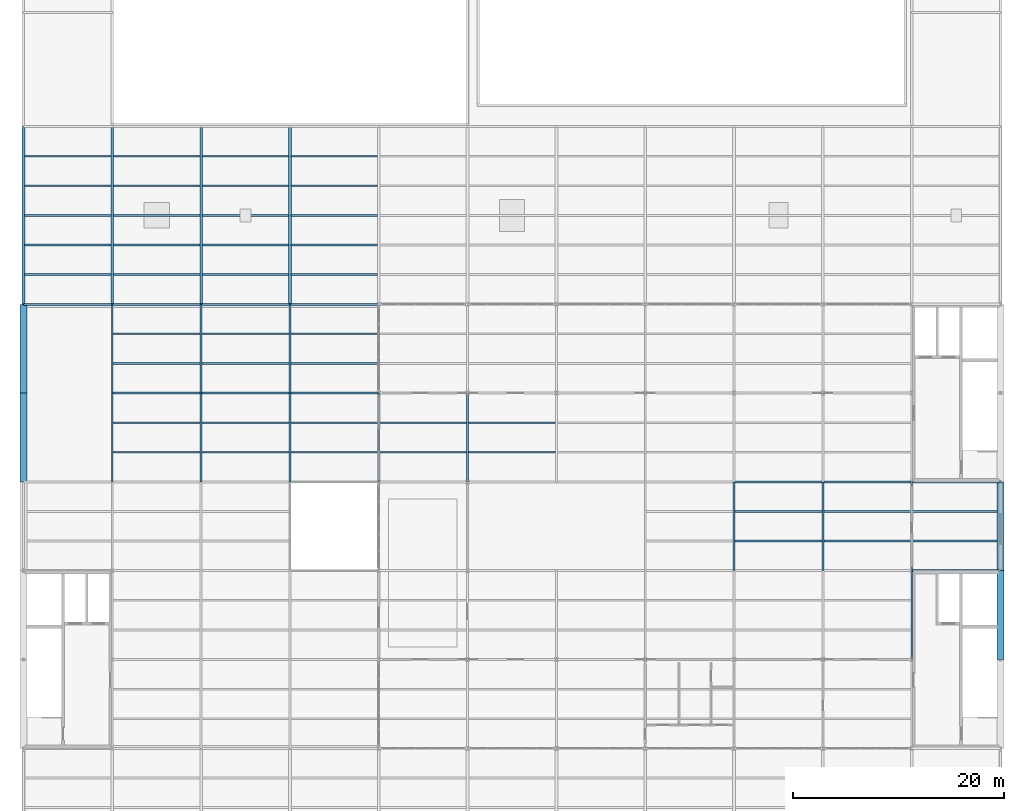
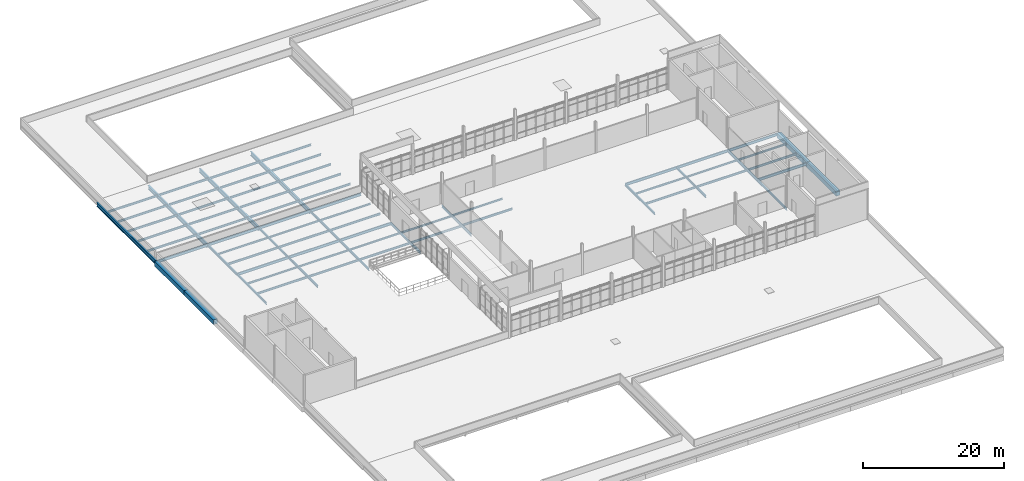
# One storey, part 15 of 33: 73 beams.
"""IFC4 building model written with IfcOpenShell, lengths in metres."""

from ifc_helpers import new_model, si_unit, direction, frame, origin, origin_2d, place, context, subcontext, project, spatial, rectangle, i_section, extrude, material, material_profile, profile_set, type_object, element, save


model = new_model("IFC4")

# Units and contexts
model_context = context("Model", 3, precision=1e-05, world=origin(), true_north=direction((0.0, 1.0)))
body_context = subcontext(model_context, "Body", "Model", "MODEL_VIEW")
ifc_project = project(units=[si_unit("LENGTHUNIT", "METRE"), si_unit("AREAUNIT", "SQUARE_METRE"), si_unit("VOLUMEUNIT", "CUBIC_METRE"), si_unit("PLANEANGLEUNIT", "RADIAN"), si_unit("MASSUNIT", "GRAM", prefix="KILO"), si_unit("THERMODYNAMICTEMPERATUREUNIT", "KELVIN"), si_unit("POWERUNIT", "WATT")], contexts=[model_context])

# Site, building, storey
site_placement = place(None, origin())
site = spatial("IfcSite", under=ifc_project, at=site_placement, CompositionType="ELEMENT")
building_placement = place(site_placement, origin())
building = spatial("IfcBuilding", under=site, at=building_placement, Name="Tembeka Court Mobility Hub", CompositionType="ELEMENT")
storey_placement = place(building_placement, frame((0.0, 0.0, 23.39990234375)))
storey = spatial("IfcBuildingStorey", under=building, at=storey_placement, Name="L06", CompositionType="ELEMENT", Elevation=23.39990234375)

# Beams
ifc_material_1 = material(Name="Steel S355", Category="steel")
ifc_material_profile_1 = material_profile(ifc_material_1, i_section(OverallWidth=0.18994140625, OverallDepth=0.45703125, WebThickness=0.009033203125, FlangeThickness=0.014404296875, FilletRadius=0.01025390625, at=origin_2d()), Name="UKB 457x191x74")
ifc_profile_set_1 = profile_set([ifc_material_profile_1], Name="Steel S355")
beam_type_1 = type_object("IfcBeamType", Name="BM-B01", PredefinedType="BEAM", material=ifc_profile_set_1)
beam_1_placement = place(storey_placement, frame((84.0, 55.199951171875, -0.478515625), z_axis=(1.0, 0.0, 0.0), x_axis=(0.0, 1.0, 0.0)))
element("IfcBeam", 1, at=beam_1_placement, inside=storey, type_object=beam_type_1, Name="Beam B01 (BM-L06-X3141)", PredefinedType="BEAM", context=body_context, shape_type="SweptSolid", body=[
    extrude(i_section(OverallWidth=0.18994140625, OverallDepth=0.45703125, WebThickness=0.009033203125, FlangeThickness=0.014404296875, FilletRadius=0.01025390625, at=origin_2d()), origin(), (0.0, 0.0, 1.0), 8.39990234375),
])
beam_2_placement = place(storey_placement, frame((67.199951171875, 63.60009765625, -0.478515625), z_axis=(1.0, 0.0, 0.0), x_axis=(0.0, 1.0, 0.0)))
element("IfcBeam", 2, at=beam_2_placement, inside=storey, type_object=beam_type_1, Name="Beam B01 (BM-L06-X3150)", PredefinedType="BEAM", context=body_context, shape_type="SweptSolid", body=[
    extrude(i_section(OverallWidth=0.18994140625, OverallDepth=0.45703125, WebThickness=0.009033203125, FlangeThickness=0.014404296875, FilletRadius=0.01025390625, at=origin_2d()), origin(), (0.0, 0.0, 1.0), 8.400146484375),
])
for number, where, z_axis, x_axis, name in (
    (3, (75.60009765625, 63.60009765625, -0.478515625), (1.0, 0.0, 0.0), (0.0, 1.0, 0.0), "Beam B01 (BM-L06-X3151)"),
    (4, (84.0, 63.60009765625, -0.478515625), (1.0, 0.0, 0.0), (0.0, 1.0, 0.0), "Beam B01 (BM-L06-X3152)"),
):
    element("IfcBeam", number, at=place(storey_placement, frame(where, z_axis=z_axis, x_axis=x_axis)), inside=storey, type_object=beam_type_1, Name=name, PredefinedType="BEAM", context=body_context, shape_type="SweptSolid", body=[
        extrude(i_section(OverallWidth=0.18994140625, OverallDepth=0.45703125, WebThickness=0.009033203125, FlangeThickness=0.014404296875, FilletRadius=0.01025390625, at=origin_2d()), origin(), (0.0, 0.0, 1.0), 8.39990234375),
    ])
beam_3_placement = place(storey_placement, frame((8.39990234375, 72.0, -0.54833984375), z_axis=(1.0, 0.0, 0.0), x_axis=(0.0, 1.0, 0.0)))
element("IfcBeam", 5, at=beam_3_placement, inside=storey, type_object=beam_type_1, Name="Beam B01 (BM-L06-X3153)", PredefinedType="BEAM", context=body_context, shape_type="SweptSolid", body=[
    extrude(i_section(OverallWidth=0.18994140625, OverallDepth=0.45703125, WebThickness=0.009033203125, FlangeThickness=0.014404296875, FilletRadius=0.01025390625, at=origin_2d()), origin(), (0.0, 0.0, 1.0), 8.400146484375),
])
beam_4_placement = place(storey_placement, frame((16.800048828125, 72.0, -0.54833984375), z_axis=(1.0, 0.0, 0.0), x_axis=(0.0, 1.0, 0.0)))
element("IfcBeam", 6, at=beam_4_placement, inside=storey, type_object=beam_type_1, Name="Beam B01 (BM-L06-X3154)", PredefinedType="BEAM", context=body_context, shape_type="SweptSolid", body=[
    extrude(i_section(OverallWidth=0.18994140625, OverallDepth=0.45703125, WebThickness=0.009033203125, FlangeThickness=0.014404296875, FilletRadius=0.01025390625, at=origin_2d()), origin(), (0.0, 0.0, 1.0), 8.39990234375),
])
beam_5_placement = place(storey_placement, frame((25.199951171875, 72.0, -0.54833984375), z_axis=(1.0, 0.0, 0.0), x_axis=(0.0, 1.0, 0.0)))
element("IfcBeam", 7, at=beam_5_placement, inside=storey, type_object=beam_type_1, Name="Beam B01 (BM-L06-X3155)", PredefinedType="BEAM", context=body_context, shape_type="SweptSolid", body=[
    extrude(i_section(OverallWidth=0.18994140625, OverallDepth=0.45703125, WebThickness=0.009033203125, FlangeThickness=0.014404296875, FilletRadius=0.01025390625, at=origin_2d()), origin(), (0.0, 0.0, 1.0), 8.400146484375),
])
beam_6_placement = place(storey_placement, frame((0.0, 80.39990234375, -0.54833984375), z_axis=(1.0, 0.0, 0.0), x_axis=(0.0, 1.0, 0.0)))
element("IfcBeam", 8, at=beam_6_placement, inside=storey, type_object=beam_type_1, Name="Beam B01 (BM-L06-X3162)", PredefinedType="BEAM", context=body_context, shape_type="SweptSolid", body=[
    extrude(i_section(OverallWidth=0.18994140625, OverallDepth=0.45703125, WebThickness=0.009033203125, FlangeThickness=0.014404296875, FilletRadius=0.01025390625, at=origin_2d()), origin(), (0.0, 0.0, 1.0), 8.39990234375),
])
beam_7_placement = place(storey_placement, frame((8.39990234375, 80.39990234375, -0.54833984375), z_axis=(1.0, 0.0, 0.0), x_axis=(0.0, 1.0, 0.0)))
element("IfcBeam", 9, at=beam_7_placement, inside=storey, type_object=beam_type_1, Name="Beam B01 (BM-L06-X3163)", PredefinedType="BEAM", context=body_context, shape_type="SweptSolid", body=[
    extrude(i_section(OverallWidth=0.18994140625, OverallDepth=0.45703125, WebThickness=0.009033203125, FlangeThickness=0.014404296875, FilletRadius=0.01025390625, at=origin_2d()), origin(), (0.0, 0.0, 1.0), 8.400146484375),
])
beam_8_placement = place(storey_placement, frame((16.800048828125, 80.39990234375, -0.54833984375), z_axis=(1.0, 0.0, 0.0), x_axis=(0.0, 1.0, 0.0)))
element("IfcBeam", 10, at=beam_8_placement, inside=storey, type_object=beam_type_1, Name="Beam B01 (BM-L06-X3164)", PredefinedType="BEAM", context=body_context, shape_type="SweptSolid", body=[
    extrude(i_section(OverallWidth=0.18994140625, OverallDepth=0.45703125, WebThickness=0.009033203125, FlangeThickness=0.014404296875, FilletRadius=0.01025390625, at=origin_2d()), origin(), (0.0, 0.0, 1.0), 8.39990234375),
])
beam_9_placement = place(storey_placement, frame((25.199951171875, 80.39990234375, -0.54833984375), z_axis=(1.0, 0.0, 0.0), x_axis=(0.0, 1.0, 0.0)))
element("IfcBeam", 11, at=beam_9_placement, inside=storey, type_object=beam_type_1, Name="Beam B01 (BM-L06-X3165)", PredefinedType="BEAM", context=body_context, shape_type="SweptSolid", body=[
    extrude(i_section(OverallWidth=0.18994140625, OverallDepth=0.45703125, WebThickness=0.009033203125, FlangeThickness=0.014404296875, FilletRadius=0.01025390625, at=origin_2d()), origin(), (0.0, 0.0, 1.0), 8.400146484375),
])
ifc_material_profile_2 = material_profile(ifc_material_1, i_section(OverallWidth=0.177978515625, OverallDepth=0.406005859375, WebThickness=0.0078125, FlangeThickness=0.0126953125, FilletRadius=0.01025390625, at=origin_2d()), Name="UKB 406x178x60")
ifc_profile_set_2 = profile_set([ifc_material_profile_2], Name="Steel S355")
beam_type_2 = type_object("IfcBeamType", Name="BM-B02", PredefinedType="BEAM", material=ifc_profile_set_2)
for number, where, z_axis, x_axis, name in (
    (12, (8.39990234375, 63.60009765625, -0.52294921875), (0.0, 1.0, 0.0), (-1.0, 0.0, 0.0), "Beam B02 (BM-L06-Y3213)"),
    (13, (8.39990234375, 72.0, -0.52294921875), (0.0, 1.0, 0.0), (-1.0, 0.0, 0.0), "Beam B02 (BM-L06-Y3214)"),
    (14, (16.800048828125, 63.60009765625, -0.52294921875), (0.0, 1.0, 0.0), (-1.0, 0.0, 0.0), "Beam B02 (BM-L06-Y3222)"),
    (15, (16.800048828125, 72.0, -0.52294921875), (0.0, 1.0, 0.0), (-1.0, 0.0, 0.0), "Beam B02 (BM-L06-Y3223)"),
    (16, (25.199951171875, 63.60009765625, -0.52294921875), (0.0, 1.0, 0.0), (-1.0, 0.0, 0.0), "Beam B02 (BM-L06-Y3229)"),
    (17, (25.199951171875, 72.0, -0.52294921875), (0.0, 1.0, 0.0), (-1.0, 0.0, 0.0), "Beam B02 (BM-L06-Y3230)"),
    (18, (33.60009765625, 63.60009765625, -0.52294921875), (0.0, 1.0, 0.0), (-1.0, 0.0, 0.0), "Beam B02 (BM-L06-Y3235)"),
    (19, (42.0, 63.60009765625, -0.452880859375), (0.0, 1.0, 0.0), (-1.0, 0.0, 0.0), "Beam B02 (BM-L06-Y3243)"),
):
    element("IfcBeam", number, at=place(storey_placement, frame(where, z_axis=z_axis, x_axis=x_axis)), inside=storey, type_object=beam_type_2, Name=name, PredefinedType="BEAM", context=body_context, shape_type="SweptSolid", body=[
        extrude(i_section(OverallWidth=0.177978515625, OverallDepth=0.406005859375, WebThickness=0.0078125, FlangeThickness=0.0126953125, FilletRadius=0.01025390625, at=origin_2d()), origin(), (0.0, 0.0, 1.0), 8.39990234375),
    ])
for number, where, z_axis, x_axis, name in (
    (20, (67.199951171875, 55.199951171875, -0.452880859375), (0.0, 1.0, 0.0), (-1.0, 0.0, 0.0), "Beam B02 (BM-L06-Y3264)"),
    (21, (75.60009765625, 55.199951171875, -0.452880859375), (0.0, 1.0, 0.0), (-1.0, 0.0, 0.0), "Beam B02 (BM-L06-Y3271)"),
):
    element("IfcBeam", number, at=place(storey_placement, frame(where, z_axis=z_axis, x_axis=x_axis)), inside=storey, type_object=beam_type_2, Name=name, PredefinedType="BEAM", context=body_context, shape_type="SweptSolid", body=[
        extrude(i_section(OverallWidth=0.177978515625, OverallDepth=0.406005859375, WebThickness=0.0078125, FlangeThickness=0.0126953125, FilletRadius=0.01025390625, at=origin_2d()), origin(), (0.0, 0.0, 1.0), 8.400146484375),
    ])
beam_10_placement = place(storey_placement, frame((84.0, 46.800048828125, -0.452880859375), z_axis=(0.0, 1.0, 0.0), x_axis=(-1.0, 0.0, 0.0)))
element("IfcBeam", 22, at=beam_10_placement, inside=storey, type_object=beam_type_2, Name="Beam B02 (BM-L06-Y3279)", PredefinedType="BEAM", context=body_context, shape_type="SweptSolid", body=[
    extrude(i_section(OverallWidth=0.177978515625, OverallDepth=0.406005859375, WebThickness=0.0078125, FlangeThickness=0.0126953125, FilletRadius=0.01025390625, at=origin_2d()), origin(), (0.0, 0.0, 1.0), 8.39990234375),
])
beam_11_placement = place(storey_placement, frame((84.0, 55.199951171875, -0.452880859375), z_axis=(0.0, 1.0, 0.0), x_axis=(-1.0, 0.0, 0.0)))
element("IfcBeam", 23, at=beam_11_placement, inside=storey, type_object=beam_type_2, Name="Beam B02 (BM-L06-Y3280)", PredefinedType="BEAM", context=body_context, shape_type="SweptSolid", body=[
    extrude(i_section(OverallWidth=0.177978515625, OverallDepth=0.406005859375, WebThickness=0.0078125, FlangeThickness=0.0126953125, FilletRadius=0.01025390625, at=origin_2d()), origin(), (0.0, 0.0, 1.0), 8.400146484375),
])
ifc_material_profile_3 = material_profile(ifc_material_1, i_section(OverallWidth=0.25390625, OverallDepth=0.68408203125, WebThickness=0.012451171875, FlangeThickness=0.01904296875, FilletRadius=0.01513671875, at=origin_2d()), Name="UKB 686x254x140")
ifc_profile_set_3 = profile_set([ifc_material_profile_3], Name="Steel S355")
beam_type_3 = type_object("IfcBeamType", Name="BM-G01", PredefinedType="USERDEFINED", material=ifc_profile_set_3)
for number, where, z_axis, x_axis, name in (
    (24, (0.0, 80.39990234375, -0.661865234375), (0.0, 1.0, 0.0), (-1.0, 0.0, 0.0), "Beam G01 (BM-L06-Y3204)"),
    (25, (8.39990234375, 80.39990234375, -0.661865234375), (0.0, 1.0, 0.0), (-1.0, 0.0, 0.0), "Beam G01 (BM-L06-Y3215)"),
    (26, (16.800048828125, 80.39990234375, -0.661865234375), (0.0, 1.0, 0.0), (-1.0, 0.0, 0.0), "Beam G01 (BM-L06-Y3224)"),
    (27, (25.199951171875, 80.39990234375, -0.661865234375), (0.0, 1.0, 0.0), (-1.0, 0.0, 0.0), "Beam G01 (BM-L06-Y3231)"),
):
    element("IfcBeam", number, at=place(storey_placement, frame(where, z_axis=z_axis, x_axis=x_axis)), inside=storey, type_object=beam_type_3, Name=name, ObjectType="GIRDER", PredefinedType="USERDEFINED", context=body_context, shape_type="SweptSolid", body=[
        extrude(i_section(OverallWidth=0.25390625, OverallDepth=0.68408203125, WebThickness=0.012451171875, FlangeThickness=0.01904296875, FilletRadius=0.01513671875, at=origin_2d()), origin(), (0.0, 0.0, 1.0), 16.800048828125),
    ])
ifc_material_profile_4 = material_profile(ifc_material_1, i_section(OverallWidth=0.172119140625, OverallDepth=0.35498046875, WebThickness=0.00732421875, FlangeThickness=0.011474609375, FilletRadius=0.01025390625, at=origin_2d()), Name="UKB 356x171x51")
ifc_profile_set_4 = profile_set([ifc_material_profile_4], Name="Steel S355")
beam_type_4 = type_object("IfcBeamType", Name="BM-J01", PredefinedType="JOIST", material=ifc_profile_set_4)
for number, where, z_axis, x_axis, name in (
    (28, (0.1220703125, 83.199951171875, -0.407470703125), (1.0, 0.0, 0.0), (0.0, 1.0, 0.0), "Beam J01 (JST-L06-3304)"),
    (29, (0.1220703125, 86.0, -0.407470703125), (1.0, 0.0, 0.0), (0.0, 1.0, 0.0), "Beam J01 (JST-L06-3305)"),
    (30, (0.1220703125, 88.800048828125, -0.407470703125), (1.0, 0.0, 0.0), (0.0, 1.0, 0.0), "Beam J01 (JST-L06-3306)"),
    (31, (0.1220703125, 91.60009765625, -0.407470703125), (1.0, 0.0, 0.0), (0.0, 1.0, 0.0), "Beam J01 (JST-L06-3307)"),
    (32, (0.1220703125, 94.39990234375, -0.407470703125), (1.0, 0.0, 0.0), (0.0, 1.0, 0.0), "Beam J01 (JST-L06-3308)"),
    (33, (8.52197265625, 83.199951171875, -0.407470703125), (1.0, 0.0, 0.0), (0.0, 1.0, 0.0), "Beam J01 (JST-L06-3324)"),
    (34, (8.52197265625, 86.0, -0.407470703125), (1.0, 0.0, 0.0), (0.0, 1.0, 0.0), "Beam J01 (JST-L06-3325)"),
    (35, (8.52197265625, 88.800048828125, -0.407470703125), (1.0, 0.0, 0.0), (0.0, 1.0, 0.0), "Beam J01 (JST-L06-3326)"),
    (36, (8.52197265625, 91.60009765625, -0.407470703125), (1.0, 0.0, 0.0), (0.0, 1.0, 0.0), "Beam J01 (JST-L06-3327)"),
    (37, (8.52197265625, 94.39990234375, -0.407470703125), (1.0, 0.0, 0.0), (0.0, 1.0, 0.0), "Beam J01 (JST-L06-3328)"),
):
    element("IfcBeam", number, at=place(storey_placement, frame(where, z_axis=z_axis, x_axis=x_axis)), inside=storey, type_object=beam_type_4, Name=name, PredefinedType="JOIST", context=body_context, shape_type="SweptSolid", body=[
        extrude(i_section(OverallWidth=0.172119140625, OverallDepth=0.35498046875, WebThickness=0.00732421875, FlangeThickness=0.011474609375, FilletRadius=0.01025390625, at=origin_2d()), origin(), (0.0, 0.0, 1.0), 8.156005859375),
    ])
for number, where, z_axis, x_axis, name in (
    (38, (16.922119140625, 83.199951171875, -0.407470703125), (1.0, 0.0, 0.0), (0.0, 1.0, 0.0), "Beam J01 (JST-L06-3344)"),
    (39, (16.922119140625, 86.0, -0.407470703125), (1.0, 0.0, 0.0), (0.0, 1.0, 0.0), "Beam J01 (JST-L06-3345)"),
    (40, (16.922119140625, 88.800048828125, -0.407470703125), (1.0, 0.0, 0.0), (0.0, 1.0, 0.0), "Beam J01 (JST-L06-3346)"),
    (41, (16.922119140625, 91.60009765625, -0.407470703125), (1.0, 0.0, 0.0), (0.0, 1.0, 0.0), "Beam J01 (JST-L06-3347)"),
    (42, (16.922119140625, 94.39990234375, -0.407470703125), (1.0, 0.0, 0.0), (0.0, 1.0, 0.0), "Beam J01 (JST-L06-3348)"),
):
    element("IfcBeam", number, at=place(storey_placement, frame(where, z_axis=z_axis, x_axis=x_axis)), inside=storey, type_object=beam_type_4, Name=name, PredefinedType="JOIST", context=body_context, shape_type="SweptSolid", body=[
        extrude(i_section(OverallWidth=0.172119140625, OverallDepth=0.35498046875, WebThickness=0.00732421875, FlangeThickness=0.011474609375, FilletRadius=0.01025390625, at=origin_2d()), origin(), (0.0, 0.0, 1.0), 8.15576171875),
    ])
for number, where, z_axis, x_axis, name in (
    (43, (25.322021484375, 83.199951171875, -0.407470703125), (1.0, 0.0, 0.0), (0.0, 1.0, 0.0), "Beam J01 (JST-L06-3362)"),
    (44, (25.322021484375, 86.0, -0.407470703125), (1.0, 0.0, 0.0), (0.0, 1.0, 0.0), "Beam J01 (JST-L06-3363)"),
    (45, (25.322021484375, 88.800048828125, -0.407470703125), (1.0, 0.0, 0.0), (0.0, 1.0, 0.0), "Beam J01 (JST-L06-3364)"),
    (46, (25.322021484375, 91.60009765625, -0.407470703125), (1.0, 0.0, 0.0), (0.0, 1.0, 0.0), "Beam J01 (JST-L06-3365)"),
    (47, (25.322021484375, 94.39990234375, -0.407470703125), (1.0, 0.0, 0.0), (0.0, 1.0, 0.0), "Beam J01 (JST-L06-3366)"),
):
    element("IfcBeam", number, at=place(storey_placement, frame(where, z_axis=z_axis, x_axis=x_axis)), inside=storey, type_object=beam_type_4, Name=name, PredefinedType="JOIST", context=body_context, shape_type="SweptSolid", body=[
        extrude(i_section(OverallWidth=0.172119140625, OverallDepth=0.35498046875, WebThickness=0.00732421875, FlangeThickness=0.011474609375, FilletRadius=0.01025390625, at=origin_2d()), origin(), (0.0, 0.0, 1.0), 8.156005859375),
    ])
ifc_material_profile_5 = material_profile(ifc_material_1, i_section(OverallWidth=0.1650390625, OverallDepth=0.303955078125, WebThickness=0.006103515625, FlangeThickness=0.01025390625, FilletRadius=0.0087890625, at=origin_2d()), Name="UKB 305x165x40")
ifc_profile_set_5 = profile_set([ifc_material_profile_5], Name="Steel S355")
beam_type_5 = type_object("IfcBeamType", Name="BM-J02", PredefinedType="JOIST", material=ifc_profile_set_5)
for number, where, z_axis, x_axis, name in (
    (48, (8.48388671875, 69.199951171875, -0.471923828125), (1.0, 0.0, 0.0), (0.0, 1.0, 0.0), "Beam J02 (JST-L06-3321)"),
    (49, (8.48388671875, 77.60009765625, -0.471923828125), (1.0, 0.0, 0.0), (0.0, 1.0, 0.0), "Beam J02 (JST-L06-3323)"),
):
    element("IfcBeam", number, at=place(storey_placement, frame(where, z_axis=z_axis, x_axis=x_axis)), inside=storey, type_object=beam_type_5, Name=name, PredefinedType="JOIST", context=body_context, shape_type="SweptSolid", body=[
        extrude(i_section(OverallWidth=0.1650390625, OverallDepth=0.303955078125, WebThickness=0.006103515625, FlangeThickness=0.01025390625, FilletRadius=0.0087890625, at=origin_2d()), origin(), (0.0, 0.0, 1.0), 8.232177734375),
    ])
for number, where, z_axis, x_axis, name in (
    (50, (16.884033203125, 69.199951171875, -0.471923828125), (1.0, 0.0, 0.0), (0.0, 1.0, 0.0), "Beam J02 (JST-L06-3341)"),
    (51, (16.884033203125, 77.60009765625, -0.471923828125), (1.0, 0.0, 0.0), (0.0, 1.0, 0.0), "Beam J02 (JST-L06-3343)"),
):
    element("IfcBeam", number, at=place(storey_placement, frame(where, z_axis=z_axis, x_axis=x_axis)), inside=storey, type_object=beam_type_5, Name=name, PredefinedType="JOIST", context=body_context, shape_type="SweptSolid", body=[
        extrude(i_section(OverallWidth=0.1650390625, OverallDepth=0.303955078125, WebThickness=0.006103515625, FlangeThickness=0.01025390625, FilletRadius=0.0087890625, at=origin_2d()), origin(), (0.0, 0.0, 1.0), 8.23193359375),
    ])
for number, where, z_axis, x_axis, name in (
    (52, (25.283935546875, 69.199951171875, -0.471923828125), (1.0, 0.0, 0.0), (0.0, 1.0, 0.0), "Beam J02 (JST-L06-3359)"),
    (53, (25.283935546875, 77.60009765625, -0.471923828125), (1.0, 0.0, 0.0), (0.0, 1.0, 0.0), "Beam J02 (JST-L06-3361)"),
):
    element("IfcBeam", number, at=place(storey_placement, frame(where, z_axis=z_axis, x_axis=x_axis)), inside=storey, type_object=beam_type_5, Name=name, PredefinedType="JOIST", context=body_context, shape_type="SweptSolid", body=[
        extrude(i_section(OverallWidth=0.1650390625, OverallDepth=0.303955078125, WebThickness=0.006103515625, FlangeThickness=0.01025390625, FilletRadius=0.0087890625, at=origin_2d()), origin(), (0.0, 0.0, 1.0), 8.232177734375),
    ])
for number, where, z_axis, x_axis, name in (
    (54, (33.68408203125, 69.199951171875, -0.471923828125), (1.0, 0.0, 0.0), (0.0, 1.0, 0.0), "Beam J02 (JST-L06-3377)"),
    (55, (42.083984375, 69.199951171875, -0.40185546875), (1.0, 0.0, 0.0), (0.0, 1.0, 0.0), "Beam J02 (JST-L06-3395)"),
):
    element("IfcBeam", number, at=place(storey_placement, frame(where, z_axis=z_axis, x_axis=x_axis)), inside=storey, type_object=beam_type_5, Name=name, PredefinedType="JOIST", context=body_context, shape_type="SweptSolid", body=[
        extrude(i_section(OverallWidth=0.1650390625, OverallDepth=0.303955078125, WebThickness=0.006103515625, FlangeThickness=0.01025390625, FilletRadius=0.0087890625, at=origin_2d()), origin(), (0.0, 0.0, 1.0), 8.23193359375),
    ])
beam_12_placement = place(storey_placement, frame((67.283935546875, 60.800048828125, -0.40185546875), z_axis=(1.0, 0.0, 0.0), x_axis=(0.0, 1.0, 0.0)))
element("IfcBeam", 56, at=beam_12_placement, inside=storey, type_object=beam_type_5, Name="Beam J02 (JST-L06-3451)", PredefinedType="JOIST", context=body_context, shape_type="SweptSolid", body=[
    extrude(i_section(OverallWidth=0.1650390625, OverallDepth=0.303955078125, WebThickness=0.006103515625, FlangeThickness=0.01025390625, FilletRadius=0.0087890625, at=origin_2d()), origin(), (0.0, 0.0, 1.0), 8.232177734375),
])
beam_13_placement = place(storey_placement, frame((75.68408203125, 60.800048828125, -0.40185546875), z_axis=(1.0, 0.0, 0.0), x_axis=(0.0, 1.0, 0.0)))
element("IfcBeam", 57, at=beam_13_placement, inside=storey, type_object=beam_type_5, Name="Beam J02 (JST-L06-3471)", PredefinedType="JOIST", context=body_context, shape_type="SweptSolid", body=[
    extrude(i_section(OverallWidth=0.1650390625, OverallDepth=0.303955078125, WebThickness=0.006103515625, FlangeThickness=0.01025390625, FilletRadius=0.0087890625, at=origin_2d()), origin(), (0.0, 0.0, 1.0), 8.23193359375),
])
beam_14_placement = place(storey_placement, frame((84.083984375, 60.800048828125, -0.40185546875), z_axis=(1.0, 0.0, 0.0), x_axis=(0.0, 1.0, 0.0)))
element("IfcBeam", 58, at=beam_14_placement, inside=storey, type_object=beam_type_5, Name="Beam J02 (JST-L06-3487)", PredefinedType="JOIST", context=body_context, shape_type="SweptSolid", body=[
    extrude(i_section(OverallWidth=0.1650390625, OverallDepth=0.303955078125, WebThickness=0.006103515625, FlangeThickness=0.01025390625, FilletRadius=0.0087890625, at=origin_2d()), origin(), (0.0, 0.0, 1.0), 7.99609375),
])
ifc_material_profile_6 = material_profile(ifc_material_1, i_section(OverallWidth=0.169921875, OverallDepth=0.360107421875, WebThickness=0.008056640625, FlangeThickness=0.0126953125, FilletRadius=0.01806640625, at=origin_2d()), Name="IPE 360")
ifc_profile_set_6 = profile_set([ifc_material_profile_6], Name="Steel S355")
beam_type_6 = type_object("IfcBeamType", Name="BM-J03", PredefinedType="JOIST", material=ifc_profile_set_6)
for number, where, z_axis, x_axis, name in (
    (59, (8.48388671875, 66.39990234375, -0.5), (1.0, 0.0, 0.0), (0.0, 1.0, 0.0), "Beam J03 (JST-L06-3320)"),
    (60, (8.48388671875, 74.800048828125, -0.5), (1.0, 0.0, 0.0), (0.0, 1.0, 0.0), "Beam J03 (JST-L06-3322)"),
):
    element("IfcBeam", number, at=place(storey_placement, frame(where, z_axis=z_axis, x_axis=x_axis)), inside=storey, type_object=beam_type_6, Name=name, PredefinedType="JOIST", context=body_context, shape_type="SweptSolid", body=[
        extrude(i_section(OverallWidth=0.169921875, OverallDepth=0.360107421875, WebThickness=0.008056640625, FlangeThickness=0.0126953125, FilletRadius=0.01806640625, at=origin_2d()), origin(), (0.0, 0.0, 1.0), 8.232177734375),
    ])
for number, where, z_axis, x_axis, name in (
    (61, (16.884033203125, 66.39990234375, -0.5), (1.0, 0.0, 0.0), (0.0, 1.0, 0.0), "Beam J03 (JST-L06-3340)"),
    (62, (16.884033203125, 74.800048828125, -0.5), (1.0, 0.0, 0.0), (0.0, 1.0, 0.0), "Beam J03 (JST-L06-3342)"),
):
    element("IfcBeam", number, at=place(storey_placement, frame(where, z_axis=z_axis, x_axis=x_axis)), inside=storey, type_object=beam_type_6, Name=name, PredefinedType="JOIST", context=body_context, shape_type="SweptSolid", body=[
        extrude(i_section(OverallWidth=0.169921875, OverallDepth=0.360107421875, WebThickness=0.008056640625, FlangeThickness=0.0126953125, FilletRadius=0.01806640625, at=origin_2d()), origin(), (0.0, 0.0, 1.0), 8.23193359375),
    ])
for number, where, z_axis, x_axis, name in (
    (63, (25.283935546875, 66.39990234375, -0.5), (1.0, 0.0, 0.0), (0.0, 1.0, 0.0), "Beam J03 (JST-L06-3358)"),
    (64, (25.283935546875, 74.800048828125, -0.5), (1.0, 0.0, 0.0), (0.0, 1.0, 0.0), "Beam J03 (JST-L06-3360)"),
):
    element("IfcBeam", number, at=place(storey_placement, frame(where, z_axis=z_axis, x_axis=x_axis)), inside=storey, type_object=beam_type_6, Name=name, PredefinedType="JOIST", context=body_context, shape_type="SweptSolid", body=[
        extrude(i_section(OverallWidth=0.169921875, OverallDepth=0.360107421875, WebThickness=0.008056640625, FlangeThickness=0.0126953125, FilletRadius=0.01806640625, at=origin_2d()), origin(), (0.0, 0.0, 1.0), 8.232177734375),
    ])
for number, where, z_axis, x_axis, name in (
    (65, (33.68408203125, 66.39990234375, -0.5), (1.0, 0.0, 0.0), (0.0, 1.0, 0.0), "Beam J03 (JST-L06-3376)"),
    (66, (42.083984375, 66.39990234375, -0.429931640625), (1.0, 0.0, 0.0), (0.0, 1.0, 0.0), "Beam J03 (JST-L06-3394)"),
):
    element("IfcBeam", number, at=place(storey_placement, frame(where, z_axis=z_axis, x_axis=x_axis)), inside=storey, type_object=beam_type_6, Name=name, PredefinedType="JOIST", context=body_context, shape_type="SweptSolid", body=[
        extrude(i_section(OverallWidth=0.169921875, OverallDepth=0.360107421875, WebThickness=0.008056640625, FlangeThickness=0.0126953125, FilletRadius=0.01806640625, at=origin_2d()), origin(), (0.0, 0.0, 1.0), 8.23193359375),
    ])
beam_15_placement = place(storey_placement, frame((67.283935546875, 58.0, -0.429931640625), z_axis=(1.0, 0.0, 0.0), x_axis=(0.0, 1.0, 0.0)))
element("IfcBeam", 67, at=beam_15_placement, inside=storey, type_object=beam_type_6, Name="Beam J03 (JST-L06-3450)", PredefinedType="JOIST", context=body_context, shape_type="SweptSolid", body=[
    extrude(i_section(OverallWidth=0.169921875, OverallDepth=0.360107421875, WebThickness=0.008056640625, FlangeThickness=0.0126953125, FilletRadius=0.01806640625, at=origin_2d()), origin(), (0.0, 0.0, 1.0), 8.232177734375),
])
beam_16_placement = place(storey_placement, frame((75.68408203125, 58.0, -0.429931640625), z_axis=(1.0, 0.0, 0.0), x_axis=(0.0, 1.0, 0.0)))
element("IfcBeam", 68, at=beam_16_placement, inside=storey, type_object=beam_type_6, Name="Beam J03 (JST-L06-3470)", PredefinedType="JOIST", context=body_context, shape_type="SweptSolid", body=[
    extrude(i_section(OverallWidth=0.169921875, OverallDepth=0.360107421875, WebThickness=0.008056640625, FlangeThickness=0.0126953125, FilletRadius=0.01806640625, at=origin_2d()), origin(), (0.0, 0.0, 1.0), 8.23193359375),
])
beam_17_placement = place(storey_placement, frame((84.083984375, 58.0, -0.429931640625), z_axis=(1.0, 0.0, 0.0), x_axis=(0.0, 1.0, 0.0)))
element("IfcBeam", 69, at=beam_17_placement, inside=storey, type_object=beam_type_6, Name="Beam J03 (JST-L06-3486)", PredefinedType="JOIST", context=body_context, shape_type="SweptSolid", body=[
    extrude(i_section(OverallWidth=0.169921875, OverallDepth=0.360107421875, WebThickness=0.008056640625, FlangeThickness=0.0126953125, FilletRadius=0.01806640625, at=origin_2d()), origin(), (0.0, 0.0, 1.0), 7.99609375),
])
ifc_material_2 = material(Name="Precast concrete C45/55", Category="concrete")
ifc_material_profile_7 = material_profile(ifc_material_2, rectangle(XDim=0.64990234375, YDim=0.800048828125, at=origin_2d()), Name="PC-SP 650x800")
ifc_profile_set_7 = profile_set([ifc_material_profile_7], Name="Precast concrete C45/55")
beam_type_7 = type_object("IfcBeamType", Name="BM-SP01", PredefinedType="SPANDREL", material=ifc_profile_set_7)
for number, where, z_axis, x_axis, name in (
    (70, (0.0, 63.60009765625, -0.719970703125), (0.0, 1.0, 0.0), (-1.0, 0.0, 0.0), "Beam SP01 (BM-L06-Y3202)"),
    (71, (0.0, 72.0, -0.719970703125), (0.0, 1.0, 0.0), (-1.0, 0.0, 0.0), "Beam SP01 (BM-L06-Y3203)"),
    (72, (92.39990234375, 46.800048828125, -0.64990234375), (0.0, 1.0, 0.0), (-1.0, 0.0, 0.0), "Beam SP01 (BM-L06-Y3290)"),
):
    element("IfcBeam", number, at=place(storey_placement, frame(where, z_axis=z_axis, x_axis=x_axis)), inside=storey, type_object=beam_type_7, Name=name, PredefinedType="SPANDREL", context=body_context, shape_type="SweptSolid", body=[
        extrude(rectangle(XDim=0.64990234375, YDim=0.800048828125, at=origin_2d()), origin(), (0.0, 0.0, 1.0), 8.39990234375),
    ])
beam_18_placement = place(storey_placement, frame((92.39990234375, 55.199951171875, -0.64990234375), z_axis=(0.0, 1.0, 0.0), x_axis=(-1.0, 0.0, 0.0)))
element("IfcBeam", 73, at=beam_18_placement, inside=storey, type_object=beam_type_7, Name="Beam SP01 (BM-L06-Y3291)", PredefinedType="SPANDREL", context=body_context, shape_type="SweptSolid", body=[
    extrude(rectangle(XDim=0.64990234375, YDim=0.800048828125, at=origin_2d()), origin(), (0.0, 0.0, 1.0), 8.400146484375),
])

save(model, "model.ifc")
